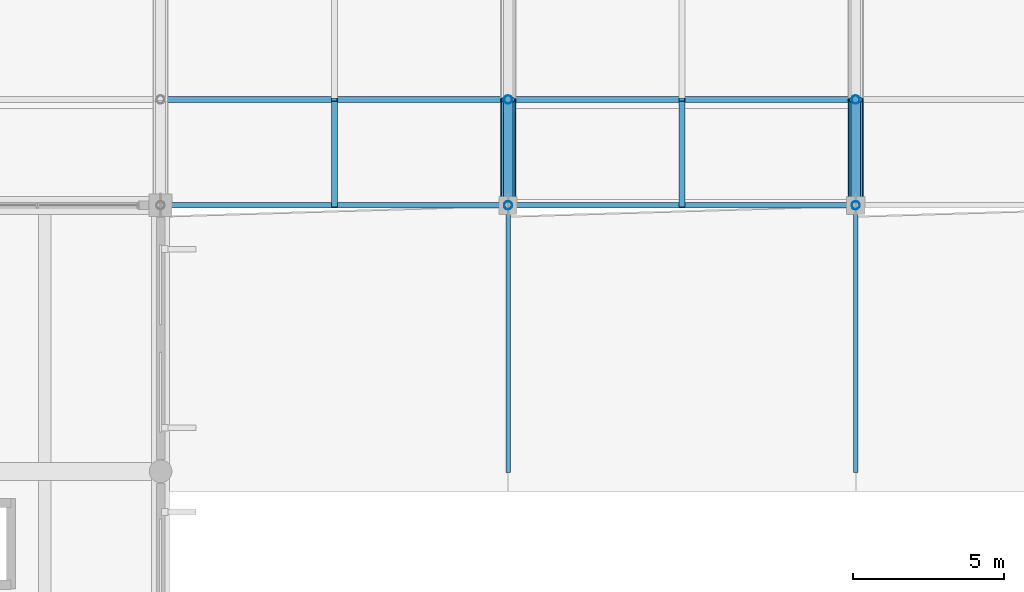
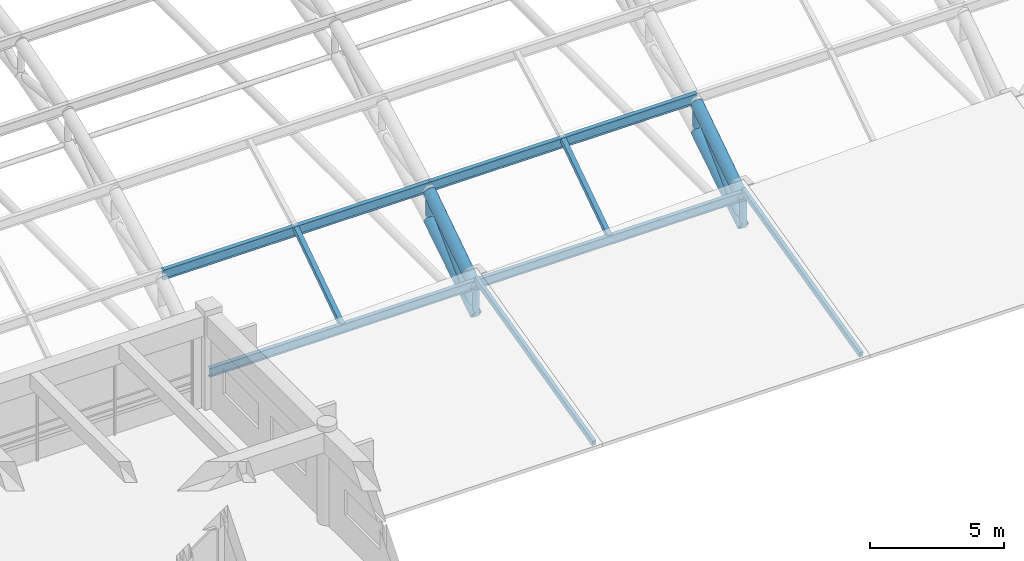
# One storey, part 94 of 154: 18 members.
"""IFC4 building model written with IfcOpenShell, lengths in metres."""

from ifc_helpers import new_model, si_unit, direction, frame, origin, origin_2d, place, context, subcontext, project, spatial, hollow_rectangle, hollow_circle, i_section, extrude, material, material_profile, profile_set, type_object, element, save


model = new_model("IFC4")

# Units and contexts
model_context = context("Model", 3, precision=1e-05, world=origin(), true_north=direction((0.0, 1.0)))
body_context = subcontext(model_context, "Body", "Model", "MODEL_VIEW")
ifc_project = project(units=[si_unit("LENGTHUNIT", "METRE"), si_unit("AREAUNIT", "SQUARE_METRE"), si_unit("VOLUMEUNIT", "CUBIC_METRE"), si_unit("PLANEANGLEUNIT", "RADIAN"), si_unit("MASSUNIT", "GRAM", prefix="KILO")], contexts=[model_context])

# Site, building, storey
site_placement = place(None, origin())
site = spatial("IfcSite", under=ifc_project, at=site_placement, CompositionType="ELEMENT")
building_placement = place(site_placement, origin())
building = spatial("IfcBuilding", under=site, at=building_placement, Name="Ologun Quay Terminus", CompositionType="ELEMENT")
storey_placement = place(building_placement, frame((0.0, 0.0, 13.800048828125)))
storey = spatial("IfcBuildingStorey", under=building, at=storey_placement, Name="L03", CompositionType="ELEMENT", Elevation=13.800048828125)

# Members
ifc_material_1 = material(Name="Steel S355", Category="steel")
ifc_material_profile_1 = material_profile(ifc_material_1, hollow_circle(Radius=0.136474609375, WallThickness=0.010009765625, at=origin_2d()), Name="CHS 273x10")
ifc_profile_set_1 = profile_set([ifc_material_profile_1], Name="Steel S355")
member_type_1 = type_object("IfcMemberType", Name="Arch Truss Vertical Post CHS273", PredefinedType="STRUT", material=ifc_profile_set_1)
member_1_placement = place(storey_placement, frame((138.0, 36.0, 0.0), z_axis=(0.0, 0.0, 1.0), x_axis=(1.0, 0.0, 0.0)))
element("IfcMember", 1, at=member_1_placement, inside=storey, type_object=member_type_1, Name="AW2 Arch Web Post 13-N0", PredefinedType="STRUT", context=body_context, shape_type="SweptSolid", body=[
    extrude(hollow_circle(Radius=0.136474609375, WallThickness=0.010009765625, at=origin_2d()), origin(), (0.0, 0.0, 1.0), 1.199951171875),
])
member_2_placement = place(storey_placement, frame((138.0, 39.5, 2.212158203125), z_axis=(0.0, 0.0, 1.0), x_axis=(1.0, 0.0, 0.0)))
element("IfcMember", 2, at=member_2_placement, inside=storey, type_object=member_type_1, Name="AW2 Arch Web Post 13-N1", PredefinedType="STRUT", context=body_context, shape_type="SweptSolid", body=[
    extrude(hollow_circle(Radius=0.136474609375, WallThickness=0.010009765625, at=origin_2d()), origin(), (0.0, 0.0, 1.0), 1.28564453125),
])
member_3_placement = place(storey_placement, frame((149.5, 36.0, 0.0), z_axis=(0.0, 0.0, 1.0), x_axis=(1.0, 0.0, 0.0)))
element("IfcMember", 3, at=member_3_placement, inside=storey, type_object=member_type_1, Name="AW2 Arch Web Post 14-N0", PredefinedType="STRUT", context=body_context, shape_type="SweptSolid", body=[
    extrude(hollow_circle(Radius=0.136474609375, WallThickness=0.010009765625, at=origin_2d()), origin(), (0.0, 0.0, 1.0), 1.199951171875),
])
member_4_placement = place(storey_placement, frame((149.5, 39.5, 2.212158203125), z_axis=(0.0, 0.0, 1.0), x_axis=(1.0, 0.0, 0.0)))
element("IfcMember", 4, at=member_4_placement, inside=storey, type_object=member_type_1, Name="AW2 Arch Web Post 14-N1", PredefinedType="STRUT", context=body_context, shape_type="SweptSolid", body=[
    extrude(hollow_circle(Radius=0.136474609375, WallThickness=0.010009765625, at=origin_2d()), origin(), (0.0, 0.0, 1.0), 1.28564453125),
])
ifc_material_2 = material(Name="Steel S355", Category="steel")
ifc_material_profile_2 = material_profile(ifc_material_2, hollow_circle(Radius=0.161865234375, WallThickness=0.010009765625, at=origin_2d()), Name="CHS 323.9x10")
ifc_profile_set_2 = profile_set([ifc_material_profile_2], Name="Steel S355")
member_type_2 = type_object("IfcMemberType", Name="Arch Truss Web Diagonal CHS323", PredefinedType="BRACE", material=ifc_profile_set_2)
for number, where, z_axis, x_axis, name in (
    (5, (138.0, 36.0, 0.0), (0.0, 0.707328773357, 0.706884719301), (-1.0, 0.0, 0.0), "AW1 Arch Web Diagonal 13-P1"),
    (6, (149.5, 36.0, 0.0), (0.0, 0.707328773357, 0.706884719301), (-1.0, 0.0, 0.0), "AW1 Arch Web Diagonal 14-P1"),
):
    element("IfcMember", number, at=place(storey_placement, frame(where, z_axis=z_axis, x_axis=x_axis)), inside=storey, type_object=member_type_2, Name=name, PredefinedType="BRACE", context=body_context, shape_type="SweptSolid", body=[
        extrude(hollow_circle(Radius=0.161865234375, WallThickness=0.010009765625, at=origin_2d()), origin(), (0.0, 0.0, 1.0), 4.9482421875),
    ])
ifc_material_3 = material(Name="Steel S355", Category="steel")
ifc_material_profile_3 = material_profile(ifc_material_3, hollow_circle(Radius=0.228515625, WallThickness=0.01611328125, at=origin_2d()), Name="CHS 457x16")
ifc_profile_set_3 = profile_set([ifc_material_profile_3], Name="Steel S355")
member_type_3 = type_object("IfcMemberType", Name="Parabolic Arch Bottom Chord CHS457", PredefinedType="CHORD", material=ifc_profile_set_3)
for number, where, z_axis, x_axis, name in (
    (7, (138.0, 36.0, 0.0), (0.0, 0.845310912611, 0.534274705578), (-1.0, 0.0, 0.0), "AC2 Arch Bottom Chord 13-P1"),
    (8, (149.5, 36.0, 0.0), (0.0, 0.845310912611, 0.534274705578), (-1.0, 0.0, 0.0), "AC2 Arch Bottom Chord 14-P1"),
):
    element("IfcMember", number, at=place(storey_placement, frame(where, z_axis=z_axis, x_axis=x_axis)), inside=storey, type_object=member_type_3, Name=name, PredefinedType="CHORD", context=body_context, shape_type="SweptSolid", body=[
        extrude(hollow_circle(Radius=0.228515625, WallThickness=0.01611328125, at=origin_2d()), origin(), (0.0, 0.0, 1.0), 4.140380859375),
    ])
ifc_material_4 = material(Name="Steel S355", Category="steel")
ifc_material_profile_4 = material_profile(ifc_material_4, hollow_circle(Radius=0.25390625, WallThickness=0.01611328125, at=origin_2d()), Name="CHS 508x16")
ifc_profile_set_4 = profile_set([ifc_material_profile_4], Name="Steel S355")
member_type_4 = type_object("IfcMemberType", Name="Parabolic Arch Top Chord CHS508", PredefinedType="CHORD", material=ifc_profile_set_4)
for number, where, z_axis, x_axis, name in (
    (9, (138.0, 36.0, 1.199951171875), (0.0, 0.835940905918, 0.548819461949), (-1.0, 0.0, 0.0), "Arch Top Chord 13-P1"),
    (10, (149.5, 36.0, 1.199951171875), (0.0, 0.835940905918, 0.548819461949), (-1.0, 0.0, 0.0), "Arch Top Chord 14-P1"),
):
    element("IfcMember", number, at=place(storey_placement, frame(where, z_axis=z_axis, x_axis=x_axis)), inside=storey, type_object=member_type_4, Name=name, PredefinedType="CHORD", context=body_context, shape_type="SweptSolid", body=[
        extrude(hollow_circle(Radius=0.25390625, WallThickness=0.01611328125, at=origin_2d()), origin(), (0.0, 0.0, 1.0), 4.18701171875),
    ])
ifc_material_5 = material(Name="Steel S355", Category="steel")
ifc_material_profile_5 = material_profile(ifc_material_5, hollow_rectangle(XDim=0.199951171875, YDim=0.199951171875, WallThickness=0.008056640625, at=origin_2d()), Name="SHS 200x200x8")
ifc_profile_set_5 = profile_set([ifc_material_profile_5], Name="Steel S355")
member_type_5 = type_object("IfcMemberType", Name="Skylight Cross Transom Bar RHS150", PredefinedType="STRUT", material=ifc_profile_set_5)
for number, where, z_axis, x_axis, name in (
    (11, (132.25, 36.0, 1.50341796875), (0.0, 0.830398014247, 0.55717065423), (-1.0, 0.0, 0.0), "SK2 Eave Secondary Rafter B12-P1"),
    (12, (143.75, 36.0, 1.50341796875), (0.0, 0.830398014247, 0.55717065423), (-1.0, 0.0, 0.0), "SK2 Eave Secondary Rafter B13-P1"),
):
    element("IfcMember", number, at=place(storey_placement, frame(where, z_axis=z_axis, x_axis=x_axis)), inside=storey, type_object=member_type_5, Name=name, PredefinedType="STRUT", context=body_context, shape_type="SweptSolid", body=[
        extrude(hollow_rectangle(XDim=0.199951171875, YDim=0.199951171875, WallThickness=0.008056640625, at=origin_2d()), origin(), (0.0, 0.0, 1.0), 4.21484375),
    ])
ifc_material_6 = material(Name="Steel S355", Category="steel")
ifc_material_profile_6 = material_profile(ifc_material_6, hollow_rectangle(XDim=0.14990234375, YDim=0.25, WallThickness=0.008056640625, at=origin_2d()), Name="RHS 250x150x8")
ifc_profile_set_6 = profile_set([ifc_material_profile_6], Name="Steel S355")
member_type_6 = type_object("IfcMemberType", Name="Skylight Longitudinal Glazing Bar RHS200", PredefinedType="PURLIN", material=ifc_profile_set_6)
for number, where, z_axis, x_axis, name in (
    (13, (138.0, 27.199951171875, -0.5224609375), (0.0, 0.971430080393, 0.237325933914), (-1.0, 0.0, 0.0), "SK1 Inclined Roof Rafter L03-SEL-13-DE"),
    (14, (149.5, 27.199951171875, -0.5224609375), (0.0, 0.971430080393, 0.237325933914), (-1.0, 0.0, 0.0), "SK1 Inclined Roof Rafter L03-SEL-14-DE"),
):
    element("IfcMember", number, at=place(storey_placement, frame(where, z_axis=z_axis, x_axis=x_axis)), inside=storey, type_object=member_type_6, Name=name, PredefinedType="PURLIN", context=body_context, shape_type="SweptSolid", body=[
        extrude(hollow_rectangle(XDim=0.14990234375, YDim=0.25, WallThickness=0.008056640625, at=origin_2d()), origin(), (0.0, 0.0, 1.0), 9.058837890625),
    ])
ifc_material_7 = material(Name="Steel S355", Category="steel")
ifc_material_profile_7 = material_profile(ifc_material_7, i_section(OverallWidth=0.177978515625, OverallDepth=0.406494140625, WebThickness=0.0078125, FlangeThickness=0.0126953125, at=origin_2d()), Name="UKB 406x178x60")
ifc_profile_set_7 = profile_set([ifc_material_profile_7], Name="Steel S355")
member_type_7 = type_object("IfcMemberType", Name="Train Shed Eave & Ridge Purlin UKB406", PredefinedType="PURLIN", material=ifc_profile_set_7)
for number, where, z_axis, x_axis, name in (
    (15, (126.5, 36.0, 1.403076171875), (1.0, 0.0, 0.0), (0.0, 1.0, 0.0), "PR2 Roof Purlin B12-N0"),
    (16, (138.0, 36.0, 1.403076171875), (1.0, 0.0, 0.0), (0.0, 1.0, 0.0), "PR2 Roof Purlin B13-N0"),
):
    element("IfcMember", number, at=place(storey_placement, frame(where, z_axis=z_axis, x_axis=x_axis)), inside=storey, type_object=member_type_7, Name=name, PredefinedType="PURLIN", context=body_context, shape_type="SweptSolid", body=[
        extrude(i_section(OverallWidth=0.177978515625, OverallDepth=0.406494140625, WebThickness=0.0078125, FlangeThickness=0.0126953125, at=origin_2d()), origin(), (0.0, 0.0, 1.0), 11.5),
    ])
ifc_material_8 = material(Name="Steel S355", Category="steel")
ifc_material_profile_8 = material_profile(ifc_material_8, i_section(OverallWidth=0.1904296875, OverallDepth=0.45703125, WebThickness=0.009033203125, FlangeThickness=0.014404296875, at=origin_2d()), Name="UKB 457x191x74")
ifc_profile_set_8 = profile_set([ifc_material_profile_8], Name="Steel S355")
member_type_8 = type_object("IfcMemberType", Name="Train Shed Primary Roof Purlin UKB457", PredefinedType="PURLIN", material=ifc_profile_set_8)
for number, where, z_axis, x_axis, name in (
    (17, (126.5, 39.5, 3.726318359375), (1.0, 0.0, 0.0), (0.0, 1.0, 0.0), "PR1 Roof Purlin B12-N1"),
    (18, (138.0, 39.5, 3.726318359375), (1.0, 0.0, 0.0), (0.0, 1.0, 0.0), "PR1 Roof Purlin B13-N1"),
):
    element("IfcMember", number, at=place(storey_placement, frame(where, z_axis=z_axis, x_axis=x_axis)), inside=storey, type_object=member_type_8, Name=name, PredefinedType="PURLIN", context=body_context, shape_type="SweptSolid", body=[
        extrude(i_section(OverallWidth=0.1904296875, OverallDepth=0.45703125, WebThickness=0.009033203125, FlangeThickness=0.014404296875, at=origin_2d()), origin(), (0.0, 0.0, 1.0), 11.5),
    ])

save(model, "model.ifc")
